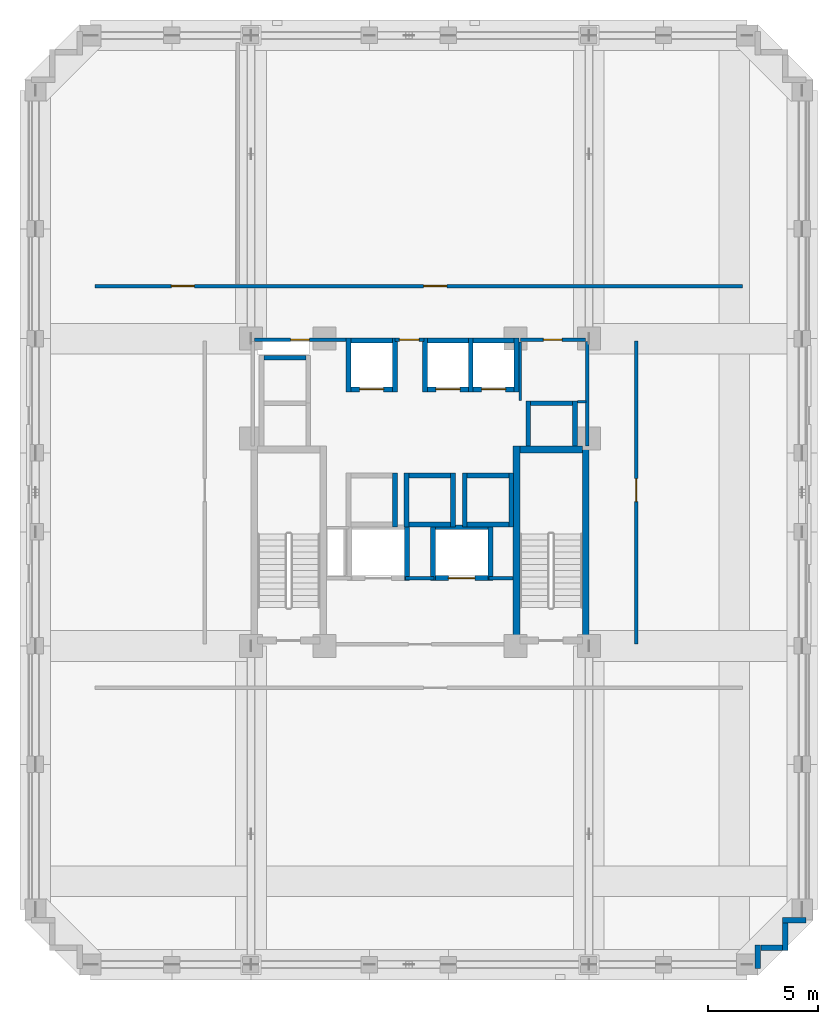
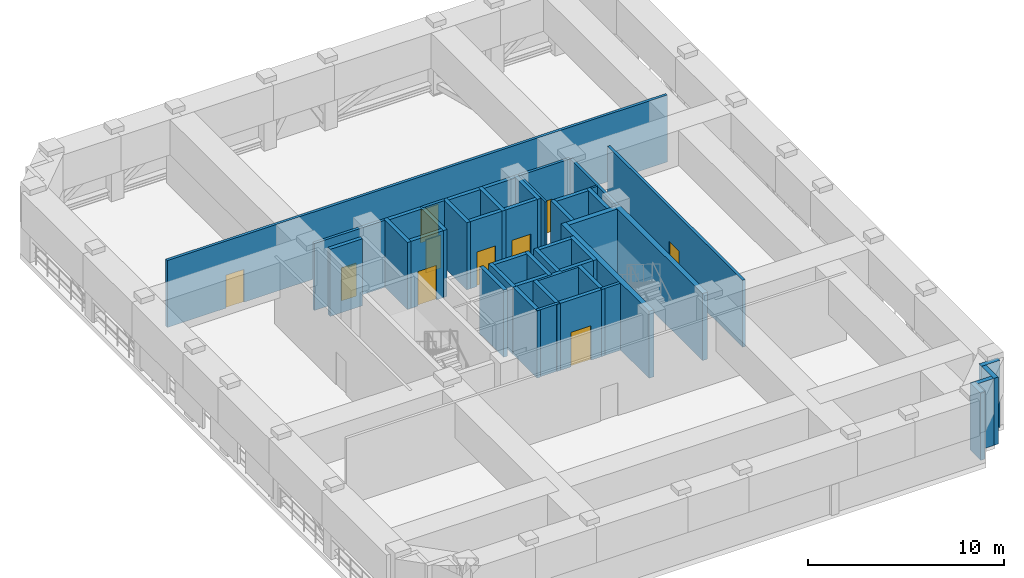
# One storey, part 4 of 11: 46 walls, 10 doors, 10 openings.
"""IFC4 building model written with IfcOpenShell, lengths in metres."""

from ifc_helpers import new_model, si_unit, derived_unit, direction, frame, frame_2d, origin, place, context, subcontext, project, spatial, rectangle, extrude, material, layer, layer_set, type_object, element, fill, save


model = new_model("IFC4")

# Units and contexts
model_context = context("Model", 3, precision=1e-05, world=origin(), true_north=direction((0.0, 1.0)))
body_context = subcontext(model_context, "Body", "Model", "MODEL_VIEW")
ifc_project = project(units=[si_unit("LENGTHUNIT", "METRE"), si_unit("AREAUNIT", "SQUARE_METRE"), si_unit("VOLUMEUNIT", "CUBIC_METRE"), si_unit("PLANEANGLEUNIT", "RADIAN"), si_unit("MASSUNIT", "GRAM", prefix="KILO"), derived_unit("THERMALTRANSMITTANCEUNIT", [(si_unit("MASSUNIT", "GRAM", prefix="KILO"), 1), (si_unit("TIMEUNIT", "SECOND"), -3), (si_unit("THERMODYNAMICTEMPERATUREUNIT", "KELVIN"), -1)])], contexts=[model_context])

# Site, building, storey
site_placement = place(None, origin())
site = spatial("IfcSite", under=ifc_project, at=site_placement, CompositionType="ELEMENT")
building_placement = place(site_placement, origin())
building = spatial("IfcBuilding", under=site, at=building_placement, Name="Korrvale Station Residences", CompositionType="ELEMENT")
storey_placement = place(building_placement, frame((0.0, 0.0, 119.89990234375)))
storey = spatial("IfcBuildingStorey", under=building, at=storey_placement, Name="L34", CompositionType="ELEMENT", Elevation=119.89990234375)

# Walls
ifc_material_1 = material(Name="Concrete C60/75", Category="concrete")
ifc_layer_1 = layer(ifc_material_1, 0.300048828125, Name="Concrete C60/75")
ifc_layer_set_1 = layer_set([ifc_layer_1], Name="Concrete C60/75")
wall_type_1 = type_object("IfcWallType", Name="WAL-CORE-300-C60", PredefinedType="SHEAR", material=ifc_layer_set_1)
for number, where, z_axis, x_axis, name in (
    (1, (29.89990234375, 15.10009765625, 0.0), (0.0, 0.0, 1.0), (0.0, 1.0, 0.0), "L34 ST-2 Core Shear Wall West"),
    (2, (33.050048828125, 15.10009765625, 0.0), (0.0, 0.0, 1.0), (0.0, 1.0, 0.0), "L34 ST-2 Core Shear Wall East"),
):
    element("IfcWall", number, at=place(storey_placement, frame(where, z_axis=z_axis, x_axis=x_axis)), inside=storey, type_object=wall_type_1, Name=name, PredefinedType="SHEAR", context=body_context, shape_type="SweptSolid", body=[
        extrude(rectangle(XDim=9.0, YDim=0.300048828125, at=frame_2d((4.5, 0.0))), origin(), (0.0, 0.0, 1.0), 4.18017578125),
    ])
wall_1_placement = place(storey_placement, frame((30.050048828125, 23.949951171875, 0.0), z_axis=(0.0, 0.0, 1.0), x_axis=(1.0, 0.0, 0.0)))
element("IfcWall", 3, at=wall_1_placement, inside=storey, type_object=wall_type_1, Name="L34 ST-2 Core Shear Wall North", PredefinedType="SHEAR", context=body_context, shape_type="SweptSolid", body=[
    extrude(rectangle(XDim=2.849853515625, YDim=0.300048828125, at=frame_2d((1.4248046875, 0.0))), origin(), (0.0, 0.0, 1.0), 4.18017578125),
])
ifc_material_2 = material(Name="Precast concrete C45/55", Category="concrete")
ifc_layer_2 = layer(ifc_material_2, 0.260009765625, Name="Precast concrete C45/55")
ifc_layer_set_2 = layer_set([ifc_layer_2], Name="Precast concrete C45/55")
wall_type_2 = type_object("IfcWallType", Name="WAL-EXT-LOG260", PredefinedType="SOLIDWALL", material=ifc_layer_set_2)
wall_2_placement = place(storey_placement, frame((43.097900390625, 2.5, 0.0), z_axis=(0.0, 0.0, 1.0), x_axis=(-1.0, 0.0, 0.0)))
element("IfcWall", 4, at=wall_2_placement, inside=storey, type_object=wall_type_2, Name="L34 Serrated Corner Precast Step SE-1", PredefinedType="SOLIDWALL", context=body_context, shape_type="SweptSolid", body=[
    extrude(rectangle(XDim=1.077880859375, YDim=0.260009765625, at=frame_2d((0.5390625, 0.0))), origin(), (0.0, 0.0, 1.0), 4.18017578125),
])
wall_3_placement = place(storey_placement, frame((42.14990234375, 2.367919921875, 0.0), z_axis=(0.0, 0.0, 1.0), x_axis=(0.0, -1.0, 0.0)))
element("IfcWall", 5, at=wall_3_placement, inside=storey, type_object=wall_type_2, Name="L34 Serrated Corner Precast Step SE-2", PredefinedType="SOLIDWALL", context=body_context, shape_type="SweptSolid", body=[
    extrude(rectangle(XDim=1.247802734375, YDim=0.260009765625, at=frame_2d((0.6240234375, 0.0))), origin(), (0.0, 0.0, 1.0), 4.18017578125),
])
wall_4_placement = place(storey_placement, frame((42.01806640625, 1.25, 0.0), z_axis=(0.0, 0.0, 1.0), x_axis=(-1.0, 0.0, 0.0)))
element("IfcWall", 6, at=wall_4_placement, inside=storey, type_object=wall_type_2, Name="L34 Serrated Corner Precast Step SE-3", PredefinedType="SOLIDWALL", context=body_context, shape_type="SweptSolid", body=[
    extrude(rectangle(XDim=0.986083984375, YDim=0.260009765625, at=frame_2d((0.4931640625, 0.0))), origin(), (0.0, 0.0, 1.0), 4.18017578125),
])
wall_5_placement = place(storey_placement, frame((40.89990234375, 1.3798828125, 0.0), z_axis=(0.0, 0.0, 1.0), x_axis=(0.0, -1.0, 0.0)))
element("IfcWall", 7, at=wall_5_placement, inside=storey, type_object=wall_type_2, Name="L34 Serrated Corner Precast Step SE-4", PredefinedType="SOLIDWALL", context=body_context, shape_type="SweptSolid", body=[
    extrude(rectangle(XDim=1.077880859375, YDim=0.260009765625, at=frame_2d((0.5390625, 0.0))), origin(), (0.0, 0.0, 1.0), 4.18017578125),
])
ifc_material_3 = material(Name="Acoustic steel-stud gypsum board partition", Category="steel")
ifc_layer_3 = layer(ifc_material_3, 0.1201171875, Name="Acoustic steel-stud gypsum board partition")
ifc_layer_set_3 = layer_set([ifc_layer_3], Name="Acoustic steel-stud gypsum board partition")
wall_type_3 = type_object("IfcWallType", Name="WAL-PART-125", PredefinedType="PARTITIONING", material=ifc_layer_set_3)
wall_6_placement = place(storey_placement, frame((30.080078125, 26.179931640625, 0.0), z_axis=(0.0, 0.0, 1.0), x_axis=(0.0, 1.0, 0.0)))
element("IfcWall", 8, at=wall_6_placement, inside=storey, type_object=wall_type_3, Name="L34 Core Partition CW-CS-W", PredefinedType="PARTITIONING", context=body_context, shape_type="SweptSolid", body=[
    extrude(rectangle(XDim=2.68017578125, YDim=0.1201171875, at=frame_2d((1.340087890625, 0.0))), origin(), (0.0, 0.0, 1.0), 4.18017578125),
])
wall_7_placement = place(storey_placement, frame((32.679931640625, 26.1201171875, 0.0), z_axis=(0.0, 0.0, 1.0), x_axis=(1.0, 0.0, 0.0)))
element("IfcWall", 9, at=wall_7_placement, inside=storey, type_object=wall_type_3, Name="L34 Core Partition CW-CS-S", PredefinedType="PARTITIONING", context=body_context, shape_type="SweptSolid", body=[
    extrude(rectangle(XDim=0.380126953125, YDim=0.1201171875, at=frame_2d((0.18994140625, 0.0))), origin(), (0.0, 0.0, 1.0), 4.18017578125),
])
ifc_material_4 = material(Name="Fire-rated twin-stud gypsum and mineral wool shaftwall assembly", Category="gypsum")
ifc_layer_4 = layer(ifc_material_4, 0.159912109375, Name="Fire-rated twin-stud gypsum and mineral wool shaftwall assembly")
ifc_layer_set_4 = layer_set([ifc_layer_4], Name="Fire-rated twin-stud gypsum and mineral wool shaftwall assembly")
wall_type_4 = type_object("IfcWallType", Name="WAL-PART-200", PredefinedType="PARTITIONING", material=ifc_layer_set_4)
wall_8_placement = place(storey_placement, frame((24.85009765625, 18.080078125, 0.0), z_axis=(0.0, 0.0, 1.0), x_axis=(1.0, 0.0, 0.0)))
element("IfcWall", 10, at=wall_8_placement, inside=storey, type_object=wall_type_4, Name="L34 Core Partition CW-FFL-N2", PredefinedType="PARTITIONING", context=body_context, shape_type="SweptSolid", body=[
    extrude(rectangle(XDim=1.2998046875, YDim=0.159912109375, at=frame_2d((0.64990234375, 0.0))), origin(), (0.0, 0.0, 1.0), 4.18017578125),
])
wall_9_placement = place(storey_placement, frame((28.64990234375, 18.080078125, 0.0), z_axis=(0.0, 0.0, 1.0), x_axis=(1.0, 0.0, 0.0)))
element("IfcWall", 11, at=wall_9_placement, inside=storey, type_object=wall_type_4, Name="L34 Core Partition CW-FFL-N3", PredefinedType="PARTITIONING", context=body_context, shape_type="SweptSolid", body=[
    extrude(rectangle(XDim=1.10009765625, YDim=0.159912109375, at=frame_2d((0.550048828125, 0.0))), origin(), (0.0, 0.0, 1.0), 4.18017578125),
])
wall_10_placement = place(storey_placement, frame((33.1201171875, 24.1201171875, 0.0), z_axis=(0.0, 0.0, 1.0), x_axis=(0.0, 1.0, 0.0)))
element("IfcWall", 12, at=wall_10_placement, inside=storey, type_object=wall_type_4, Name="L34 Core Partition CW-E-N", PredefinedType="PARTITIONING", context=body_context, shape_type="SweptSolid", body=[
    extrude(rectangle(XDim=4.759765625, YDim=0.159912109375, at=frame_2d((2.3798828125, 0.0))), origin(), (0.0, 0.0, 1.0), 4.18017578125),
])

# Wall, opening, door
wall_11_placement = place(storey_placement, frame((24.360107421875, 28.949951171875, 0.0), z_axis=(0.0, 0.0, 1.0), x_axis=(1.0, 0.0, 0.0)))
wall_11 = element("IfcWall", 13, at=wall_11_placement, inside=storey, type_object=wall_type_4, Name="L34 Core Partition CW-LLOB-N", PredefinedType="PARTITIONING", context=body_context, shape_type="SweptSolid", body=[
    extrude(rectangle(XDim=1.31982421875, YDim=0.159912109375, at=frame_2d((0.659912109375, 0.0))), origin(), (0.0, 0.0, 1.0), 4.18017578125),
])
opening_1_placement = place(wall_11_placement, frame((0.2099609375, 0.0, 0.0)))
opening_1 = element("IfcOpeningElement", 14, at=opening_1_placement, cuts=wall_11, Name="Opening DI-900", PredefinedType="OPENING", context=body_context, shape_type="SweptSolid", body=[
    extrude(rectangle(XDim=0.89990234375, YDim=2.050048828125, at=frame_2d((0.449951171875, 1.02490234375))), frame((0.0, 0.08984375, 0.0), z_axis=(0.0, -1.0, 0.0), x_axis=(1.0, 0.0, 0.0)), (0.0, 0.0, 1.0), 0.179931640625),
])
ifc_material_5 = material(Name="Painted solid-core timber interior room door", Category="wood")
door_type_1 = type_object("IfcDoorType", Name="DR-INT-900", OperationType="NOTDEFINED", PredefinedType="DOOR", material=ifc_material_5)
door_1_placement = place(opening_1_placement, origin())
door_1 = element("IfcDoor", 15, at=door_1_placement, inside=storey, type_object=door_type_1, Name="L34 Central Hallway North Passage Door", OperationType="SINGLE_SWING_LEFT", OverallHeight=2.050048828125, OverallWidth=0.89990234375, PredefinedType="DOOR", context=body_context, shape_type="SweptSolid", body=[
    extrude(rectangle(XDim=0.89990234375, YDim=2.050048828125, at=frame_2d((0.449951171875, 1.02490234375))), frame((0.0, 0.02490234375, 0.0), z_axis=(0.0, -1.0, 0.0), x_axis=(1.0, 0.0, 0.0)), (0.0, 0.0, 1.0), 0.050048828125),
])
fill(opening_1, door_1)

wall_12_placement = place(storey_placement, frame((17.9599609375, 28.949951171875, 0.0), z_axis=(0.0, 0.0, 1.0), x_axis=(1.0, 0.0, 0.0)))
wall_12 = element("IfcWall", 16, at=wall_12_placement, inside=storey, type_object=wall_type_4, Name="L34 Core Partition CW-NW", PredefinedType="PARTITIONING", context=body_context, shape_type="SweptSolid", body=[
    extrude(rectangle(XDim=4.2900390625, YDim=0.159912109375, at=frame_2d((2.14501953125, 0.0))), origin(), (0.0, 0.0, 1.0), 4.18017578125),
])
opening_2_placement = place(wall_12_placement, frame((1.64501953125, 0.0, 0.0)))
opening_2 = element("IfcOpeningElement", 17, at=opening_2_placement, cuts=wall_12, Name="Opening DB-860", PredefinedType="OPENING", context=body_context, shape_type="SweptSolid", body=[
    extrude(rectangle(XDim=0.860107421875, YDim=2.050048828125, at=frame_2d((0.43017578125, 1.02490234375))), frame((0.0, 0.08984375, 0.0), z_axis=(0.0, -1.0, 0.0), x_axis=(1.0, 0.0, 0.0)), (0.0, 0.0, 1.0), 0.179931640625),
])
ifc_material_6 = material(Name="Moisture-resistant solid-core bathroom door", Category="timber")
door_type_2 = type_object("IfcDoorType", Name="DR-BATH-860", OperationType="NOTDEFINED", PredefinedType="DOOR", material=ifc_material_6)
door_2_placement = place(opening_2_placement, origin())
door_2 = element("IfcDoor", 18, at=door_2_placement, inside=storey, type_object=door_type_2, Name="L34 Electrical Riser Access Door", OperationType="SINGLE_SWING_RIGHT", OverallHeight=2.050048828125, OverallWidth=0.860107421875, PredefinedType="DOOR", context=body_context, shape_type="SweptSolid", body=[
    extrude(rectangle(XDim=0.860107421875, YDim=2.050048828125, at=frame_2d((0.43017578125, 1.02490234375))), frame((0.0, 0.02490234375, 0.0), z_axis=(0.0, -1.0, 0.0), x_axis=(1.0, 0.0, 0.0)), (0.0, 0.0, 1.0), 0.050048828125),
])
fill(opening_2, door_2)

wall_13_placement = place(storey_placement, frame((30.080078125, 28.949951171875, 0.0), z_axis=(0.0, 0.0, 1.0), x_axis=(1.0, 0.0, 0.0)))
wall_13 = element("IfcWall", 19, at=wall_13_placement, inside=storey, type_object=wall_type_4, Name="L34 Core Partition CW-CS-N", PredefinedType="PARTITIONING", context=body_context, shape_type="SweptSolid", body=[
    extrude(rectangle(XDim=2.9599609375, YDim=0.159912109375, at=frame_2d((1.47998046875, 0.0))), origin(), (0.0, 0.0, 1.0), 4.18017578125),
])
opening_3_placement = place(wall_13_placement, frame((1.044921875, 0.0, 0.0)))
opening_3 = element("IfcOpeningElement", 20, at=opening_3_placement, cuts=wall_13, Name="Opening DB-860", PredefinedType="OPENING", context=body_context, shape_type="SweptSolid", body=[
    extrude(rectangle(XDim=0.860107421875, YDim=2.050048828125, at=frame_2d((0.43017578125, 1.02490234375))), frame((0.0, 0.08984375, 0.0), z_axis=(0.0, -1.0, 0.0), x_axis=(1.0, 0.0, 0.0)), (0.0, 0.0, 1.0), 0.179931640625),
])
door_3_placement = place(opening_3_placement, origin())
door_3 = element("IfcDoor", 21, at=door_3_placement, inside=storey, type_object=door_type_2, Name="L34 Core Equipment Room Door", OperationType="SINGLE_SWING_LEFT", OverallHeight=2.050048828125, OverallWidth=0.860107421875, PredefinedType="DOOR", context=body_context, shape_type="SweptSolid", body=[
    extrude(rectangle(XDim=0.860107421875, YDim=2.050048828125, at=frame_2d((0.43017578125, 1.02490234375))), frame((0.0, 0.02490234375, 0.0), z_axis=(0.0, -1.0, 0.0), x_axis=(1.0, 0.0, 0.0)), (0.0, 0.0, 1.0), 0.050048828125),
])
fill(opening_3, door_3)

# Wall, openings, doors
wall_14_placement = place(storey_placement, frame((10.699951171875, 31.39990234375, 0.0), z_axis=(0.0, 0.0, 1.0), x_axis=(1.0, 0.0, 0.0)))
wall_14 = element("IfcWall", 22, at=wall_14_placement, inside=storey, type_object=wall_type_4, Name="L34 Interior Partition W-RN", PredefinedType="PARTITIONING", context=body_context, shape_type="SweptSolid", body=[
    extrude(rectangle(XDim=29.5, YDim=0.159912109375, at=frame_2d((14.75, 0.0))), origin(), (0.0, 0.0, 1.0), 4.18017578125),
])
opening_4_placement = place(wall_14_placement, frame((3.47509765625, 0.0, 0.0)))
opening_4 = element("IfcOpeningElement", 23, at=opening_4_placement, cuts=wall_14, Name="Opening FD-1050", PredefinedType="OPENING", context=body_context, shape_type="SweptSolid", body=[
    extrude(rectangle(XDim=1.050048828125, YDim=2.050048828125, at=frame_2d((0.52490234375, 1.02490234375))), frame((0.0, 0.08984375, 0.0), z_axis=(0.0, -1.0, 0.0), x_axis=(1.0, 0.0, 0.0)), (0.0, 0.0, 1.0), 0.179931640625),
])
opening_5_placement = place(wall_14_placement, frame((14.97509765625, 0.0, 0.0)))
opening_5 = element("IfcOpeningElement", 24, at=opening_5_placement, cuts=wall_14, Name="Opening FD-1050", PredefinedType="OPENING", context=body_context, shape_type="SweptSolid", body=[
    extrude(rectangle(XDim=1.050048828125, YDim=2.050048828125, at=frame_2d((0.52490234375, 1.02490234375))), frame((0.0, 0.08984375, 0.0), z_axis=(0.0, -1.0, 0.0), x_axis=(1.0, 0.0, 0.0)), (0.0, 0.0, 1.0), 0.179931640625),
])
ifc_material_7 = material(Name="Fire-rated mineral-core timber lobby door", Category="wood")
door_type_3 = type_object("IfcDoorType", Name="DR-CORE-1050", OperationType="NOTDEFINED", PredefinedType="DOOR", material=ifc_material_7)
door_4_placement = place(opening_4_placement, origin())
door_4 = element("IfcDoor", 25, at=door_4_placement, inside=storey, type_object=door_type_3, Name="L34 Zone Substation Door", OperationType="SINGLE_SWING_LEFT", OverallHeight=2.050048828125, OverallWidth=1.050048828125, PredefinedType="DOOR", context=body_context, shape_type="SweptSolid", body=[
    extrude(rectangle(XDim=1.050048828125, YDim=2.050048828125, at=frame_2d((0.52490234375, 1.02490234375))), frame((0.0, 0.02490234375, 0.0), z_axis=(0.0, -1.0, 0.0), x_axis=(1.0, 0.0, 0.0)), (0.0, 0.0, 1.0), 0.050048828125),
])
fill(opening_4, door_4)
door_5_placement = place(opening_5_placement, origin())
door_5 = element("IfcDoor", 26, at=door_5_placement, inside=storey, type_object=door_type_3, Name="L34 Zone AHU Plant Door", OperationType="SINGLE_SWING_RIGHT", OverallHeight=2.050048828125, OverallWidth=1.050048828125, PredefinedType="DOOR", context=body_context, shape_type="SweptSolid", body=[
    extrude(rectangle(XDim=1.050048828125, YDim=2.050048828125, at=frame_2d((0.52490234375, 1.02490234375))), frame((0.0, 0.02490234375, 0.0), z_axis=(0.0, -1.0, 0.0), x_axis=(1.0, 0.0, 0.0)), (0.0, 0.0, 1.0), 0.050048828125),
])
fill(opening_5, door_5)

# Wall, opening, door
wall_15_placement = place(storey_placement, frame((35.35009765625, 15.10009765625, 0.0), z_axis=(0.0, 0.0, 1.0), x_axis=(0.0, 1.0, 0.0)))
wall_15 = element("IfcWall", 27, at=wall_15_placement, inside=storey, type_object=wall_type_4, Name="L34 Interior Partition W-RE", PredefinedType="PARTITIONING", context=body_context, shape_type="SweptSolid", body=[
    extrude(rectangle(XDim=13.7998046875, YDim=0.159912109375, at=frame_2d((6.89990234375, 0.0))), origin(), (0.0, 0.0, 1.0), 4.18017578125),
])
opening_6_placement = place(wall_15_placement, frame((6.47509765625, 0.0, 0.0)))
opening_6 = element("IfcOpeningElement", 28, at=opening_6_placement, cuts=wall_15, Name="Opening FD-1050", PredefinedType="OPENING", context=body_context, shape_type="SweptSolid", body=[
    extrude(rectangle(XDim=1.050048828125, YDim=2.050048828125, at=frame_2d((0.52490234375, 1.02490234375))), frame((0.0, 0.08984375, 0.0), z_axis=(0.0, -1.0, 0.0), x_axis=(1.0, 0.0, 0.0)), (0.0, 0.0, 1.0), 0.179931640625),
])
door_6_placement = place(opening_6_placement, origin())
door_6 = element("IfcDoor", 29, at=door_6_placement, inside=storey, type_object=door_type_3, Name="L34 East Refuge Area Fire Door", OperationType="SINGLE_SWING_RIGHT", OverallHeight=2.050048828125, OverallWidth=1.050048828125, PredefinedType="DOOR", context=body_context, shape_type="SweptSolid", body=[
    extrude(rectangle(XDim=1.050048828125, YDim=2.050048828125, at=frame_2d((0.52490234375, 1.02490234375))), frame((0.0, 0.02490234375, 0.0), z_axis=(0.0, -1.0, 0.0), x_axis=(1.0, 0.0, 0.0)), (0.0, 0.0, 1.0), 0.050048828125),
])
fill(opening_6, door_6)

ifc_layer_5 = layer(ifc_material_1, 0.219970703125, Name="Concrete C60/75")
ifc_layer_set_5 = layer_set([ifc_layer_5], Name="Concrete C60/75")
wall_type_5 = type_object("IfcWallType", Name="WAL-SHAFT-220-C60", PredefinedType="SHEAR", material=ifc_layer_set_5)
wall_16_placement = place(storey_placement, frame((22.35009765625, 26.68994140625, 0.0), z_axis=(0.0, 0.0, 1.0), x_axis=(1.0, 0.0, 0.0)))
wall_16 = element("IfcWall", 30, at=wall_16_placement, inside=storey, type_object=wall_type_5, Name="L34 Elevator PL-1 Hoistway Wall South", PredefinedType="SHEAR", context=body_context, shape_type="SweptSolid", body=[
    extrude(rectangle(XDim=1.89990234375, YDim=0.219970703125, at=frame_2d((0.949951171875, 0.0))), origin(), (0.0, 0.0, 1.0), 4.18017578125),
])
opening_7_placement = place(wall_16_placement, frame((0.39990234375, 0.0, 0.0)))
opening_7 = element("IfcOpeningElement", 31, at=opening_7_placement, cuts=wall_16, Name="Opening LD-1100", PredefinedType="OPENING", context=body_context, shape_type="SweptSolid", body=[
    extrude(rectangle(XDim=1.10009765625, YDim=2.14990234375, at=frame_2d((0.550048828125, 1.074951171875))), frame((0.0, 0.1201171875, 0.0), z_axis=(0.0, -1.0, 0.0), x_axis=(1.0, 0.0, 0.0)), (0.0, 0.0, 1.0), 0.239990234375),
])
ifc_material_8 = material(Name="Brushed stainless-steel elevator landing sliding door", Category="steel")
door_type_4 = type_object("IfcDoorType", Name="DR-LIFT-1100", OperationType="SLIDING_TO_LEFT", PredefinedType="DOOR", material=ifc_material_8)
door_7_placement = place(opening_7_placement, origin())
door_7 = element("IfcDoor", 32, at=door_7_placement, inside=storey, type_object=door_type_4, Name="L34 Elevator PL-1 Sliding Landing Door", OperationType="SLIDING_TO_LEFT", OverallHeight=2.14990234375, OverallWidth=1.10009765625, PredefinedType="DOOR", context=body_context, shape_type="SweptSolid", body=[
    extrude(rectangle(XDim=1.10009765625, YDim=2.14990234375, at=frame_2d((0.550048828125, 1.074951171875))), frame((0.0, 0.02490234375, 0.0), z_axis=(0.0, -1.0, 0.0), x_axis=(1.0, 0.0, 0.0)), (0.0, 0.0, 1.0), 0.050048828125),
])
fill(opening_7, door_7)

# Walls
wall_17_placement = place(storey_placement, frame((22.35009765625, 28.909912109375, 0.0), z_axis=(0.0, 0.0, 1.0), x_axis=(1.0, 0.0, 0.0)))
element("IfcWall", 33, at=wall_17_placement, inside=storey, type_object=wall_type_5, Name="L34 Elevator PL-1 Hoistway Wall North", PredefinedType="SHEAR", context=body_context, shape_type="SweptSolid", body=[
    extrude(rectangle(XDim=1.89990234375, YDim=0.219970703125, at=frame_2d((0.949951171875, 0.0))), origin(), (0.0, 0.0, 1.0), 4.18017578125),
])
for number, where, z_axis, x_axis, name in (
    (34, (22.239990234375, 26.580078125, 0.0), (0.0, 0.0, 1.0), (0.0, 1.0, 0.0), "L34 Elevator PL-1 Hoistway Wall West"),
    (35, (24.360107421875, 26.580078125, 0.0), (0.0, 0.0, 1.0), (0.0, 1.0, 0.0), "L34 Elevator PL-1 Hoistway Wall East"),
):
    element("IfcWall", number, at=place(storey_placement, frame(where, z_axis=z_axis, x_axis=x_axis)), inside=storey, type_object=wall_type_5, Name=name, PredefinedType="SHEAR", context=body_context, shape_type="SweptSolid", body=[
        extrude(rectangle(XDim=2.43994140625, YDim=0.219970703125, at=frame_2d((1.219970703125, 0.0))), origin(), (0.0, 0.0, 1.0), 4.18017578125),
    ])

# Wall, opening, door
wall_18_placement = place(storey_placement, frame((25.85009765625, 26.68994140625, 0.0), z_axis=(0.0, 0.0, 1.0), x_axis=(1.0, 0.0, 0.0)))
wall_18 = element("IfcWall", 36, at=wall_18_placement, inside=storey, type_object=wall_type_5, Name="L34 Elevator PL-2 Hoistway Wall South", PredefinedType="SHEAR", context=body_context, shape_type="SweptSolid", body=[
    extrude(rectangle(XDim=1.85986328125, YDim=0.219970703125, at=frame_2d((0.929931640625, 0.0))), origin(), (0.0, 0.0, 1.0), 4.18017578125),
])
opening_8_placement = place(wall_18_placement, frame((0.3798828125, 0.0, 0.0)))
opening_8 = element("IfcOpeningElement", 37, at=opening_8_placement, cuts=wall_18, Name="Opening LD-1100", PredefinedType="OPENING", context=body_context, shape_type="SweptSolid", body=[
    extrude(rectangle(XDim=1.10009765625, YDim=2.14990234375, at=frame_2d((0.550048828125, 1.074951171875))), frame((0.0, 0.1201171875, 0.0), z_axis=(0.0, -1.0, 0.0), x_axis=(1.0, 0.0, 0.0)), (0.0, 0.0, 1.0), 0.239990234375),
])
door_8_placement = place(opening_8_placement, origin())
door_8 = element("IfcDoor", 38, at=door_8_placement, inside=storey, type_object=door_type_4, Name="L34 Elevator PL-2 Sliding Landing Door", OperationType="SLIDING_TO_LEFT", OverallHeight=2.14990234375, OverallWidth=1.10009765625, PredefinedType="DOOR", context=body_context, shape_type="SweptSolid", body=[
    extrude(rectangle(XDim=1.10009765625, YDim=2.14990234375, at=frame_2d((0.550048828125, 1.074951171875))), frame((0.0, 0.02490234375, 0.0), z_axis=(0.0, -1.0, 0.0), x_axis=(1.0, 0.0, 0.0)), (0.0, 0.0, 1.0), 0.050048828125),
])
fill(opening_8, door_8)

# Walls
wall_19_placement = place(storey_placement, frame((25.85009765625, 28.909912109375, 0.0), z_axis=(0.0, 0.0, 1.0), x_axis=(1.0, 0.0, 0.0)))
element("IfcWall", 39, at=wall_19_placement, inside=storey, type_object=wall_type_5, Name="L34 Elevator PL-2 Hoistway Wall North", PredefinedType="SHEAR", context=body_context, shape_type="SweptSolid", body=[
    extrude(rectangle(XDim=1.85986328125, YDim=0.219970703125, at=frame_2d((0.929931640625, 0.0))), origin(), (0.0, 0.0, 1.0), 4.18017578125),
])
for number, where, z_axis, x_axis, name in (
    (40, (25.739990234375, 26.580078125, 0.0), (0.0, 0.0, 1.0), (0.0, 1.0, 0.0), "L34 Elevator PL-2 Hoistway Wall West"),
    (41, (27.820068359375, 26.580078125, 0.0), (0.0, 0.0, 1.0), (0.0, 1.0, 0.0), "L34 Elevator PL-2 Hoistway Wall East"),
):
    element("IfcWall", number, at=place(storey_placement, frame(where, z_axis=z_axis, x_axis=x_axis)), inside=storey, type_object=wall_type_5, Name=name, PredefinedType="SHEAR", context=body_context, shape_type="SweptSolid", body=[
        extrude(rectangle(XDim=2.43994140625, YDim=0.219970703125, at=frame_2d((1.219970703125, 0.0))), origin(), (0.0, 0.0, 1.0), 4.18017578125),
    ])

# Wall, opening, door
wall_20_placement = place(storey_placement, frame((27.929931640625, 26.68994140625, 0.0), z_axis=(0.0, 0.0, 1.0), x_axis=(1.0, 0.0, 0.0)))
wall_20 = element("IfcWall", 42, at=wall_20_placement, inside=storey, type_object=wall_type_5, Name="L34 Elevator PL-3 Hoistway Wall South", PredefinedType="SHEAR", context=body_context, shape_type="SweptSolid", body=[
    extrude(rectangle(XDim=1.860107421875, YDim=0.219970703125, at=frame_2d((0.93017578125, 0.0))), origin(), (0.0, 0.0, 1.0), 4.18017578125),
])
opening_9_placement = place(wall_20_placement, frame((0.3798828125, 0.0, 0.0)))
opening_9 = element("IfcOpeningElement", 43, at=opening_9_placement, cuts=wall_20, Name="Opening LD-1100", PredefinedType="OPENING", context=body_context, shape_type="SweptSolid", body=[
    extrude(rectangle(XDim=1.10009765625, YDim=2.14990234375, at=frame_2d((0.550048828125, 1.074951171875))), frame((0.0, 0.1201171875, 0.0), z_axis=(0.0, -1.0, 0.0), x_axis=(1.0, 0.0, 0.0)), (0.0, 0.0, 1.0), 0.239990234375),
])
door_9_placement = place(opening_9_placement, origin())
door_9 = element("IfcDoor", 44, at=door_9_placement, inside=storey, type_object=door_type_4, Name="L34 Elevator PL-3 Sliding Landing Door", OperationType="SLIDING_TO_LEFT", OverallHeight=2.14990234375, OverallWidth=1.10009765625, PredefinedType="DOOR", context=body_context, shape_type="SweptSolid", body=[
    extrude(rectangle(XDim=1.10009765625, YDim=2.14990234375, at=frame_2d((0.550048828125, 1.074951171875))), frame((0.0, 0.02490234375, 0.0), z_axis=(0.0, -1.0, 0.0), x_axis=(1.0, 0.0, 0.0)), (0.0, 0.0, 1.0), 0.050048828125),
])
fill(opening_9, door_9)

# Walls
wall_21_placement = place(storey_placement, frame((27.929931640625, 28.909912109375, 0.0), z_axis=(0.0, 0.0, 1.0), x_axis=(1.0, 0.0, 0.0)))
element("IfcWall", 45, at=wall_21_placement, inside=storey, type_object=wall_type_5, Name="L34 Elevator PL-3 Hoistway Wall North", PredefinedType="SHEAR", context=body_context, shape_type="SweptSolid", body=[
    extrude(rectangle(XDim=1.860107421875, YDim=0.219970703125, at=frame_2d((0.93017578125, 0.0))), origin(), (0.0, 0.0, 1.0), 4.18017578125),
])
wall_22_placement = place(storey_placement, frame((29.89990234375, 26.580078125, 0.0), z_axis=(0.0, 0.0, 1.0), x_axis=(0.0, 1.0, 0.0)))
element("IfcWall", 46, at=wall_22_placement, inside=storey, type_object=wall_type_5, Name="L34 Elevator PL-3 Hoistway Wall East", PredefinedType="SHEAR", context=body_context, shape_type="SweptSolid", body=[
    extrude(rectangle(XDim=2.43994140625, YDim=0.219970703125, at=frame_2d((1.219970703125, 0.0))), origin(), (0.0, 0.0, 1.0), 4.18017578125),
])
wall_23_placement = place(storey_placement, frame((24.360107421875, 20.429931640625, 0.0), z_axis=(0.0, 0.0, 1.0), x_axis=(0.0, 1.0, 0.0)))
element("IfcWall", 47, at=wall_23_placement, inside=storey, type_object=wall_type_5, Name="L34 Elevator PM-1 Hoistway Wall East", PredefinedType="SHEAR", context=body_context, shape_type="SweptSolid", body=[
    extrude(rectangle(XDim=2.440185546875, YDim=0.219970703125, at=frame_2d((1.22021484375, 0.0))), origin(), (0.0, 0.0, 1.0), 4.18017578125),
])
for number, where, z_axis, x_axis, name in (
    (48, (25.0, 20.5400390625, 0.0), (0.0, 0.0, 1.0), (1.0, 0.0, 0.0), "L34 Elevator PM-2 Hoistway Wall South"),
    (49, (25.0, 22.760009765625, 0.0), (0.0, 0.0, 1.0), (1.0, 0.0, 0.0), "L34 Elevator PM-2 Hoistway Wall North"),
):
    element("IfcWall", number, at=place(storey_placement, frame(where, z_axis=z_axis, x_axis=x_axis)), inside=storey, type_object=wall_type_5, Name=name, PredefinedType="SHEAR", context=body_context, shape_type="SweptSolid", body=[
        extrude(rectangle(XDim=1.89990234375, YDim=0.219970703125, at=frame_2d((0.949951171875, 0.0))), origin(), (0.0, 0.0, 1.0), 4.18017578125),
    ])
for number, where, z_axis, x_axis, name in (
    (50, (24.889892578125, 20.429931640625, 0.0), (0.0, 0.0, 1.0), (0.0, 1.0, 0.0), "L34 Elevator PM-2 Hoistway Wall West"),
    (51, (27.010009765625, 20.429931640625, 0.0), (0.0, 0.0, 1.0), (0.0, 1.0, 0.0), "L34 Elevator PM-2 Hoistway Wall East"),
):
    element("IfcWall", number, at=place(storey_placement, frame(where, z_axis=z_axis, x_axis=x_axis)), inside=storey, type_object=wall_type_5, Name=name, PredefinedType="SHEAR", context=body_context, shape_type="SweptSolid", body=[
        extrude(rectangle(XDim=2.440185546875, YDim=0.219970703125, at=frame_2d((1.22021484375, 0.0))), origin(), (0.0, 0.0, 1.0), 4.18017578125),
    ])
for number, where, z_axis, x_axis, name in (
    (52, (27.64990234375, 20.5400390625, 0.0), (0.0, 0.0, 1.0), (1.0, 0.0, 0.0), "L34 Elevator PM-3 Hoistway Wall South"),
    (53, (27.64990234375, 22.760009765625, 0.0), (0.0, 0.0, 1.0), (1.0, 0.0, 0.0), "L34 Elevator PM-3 Hoistway Wall North"),
):
    element("IfcWall", number, at=place(storey_placement, frame(where, z_axis=z_axis, x_axis=x_axis)), inside=storey, type_object=wall_type_5, Name=name, PredefinedType="SHEAR", context=body_context, shape_type="SweptSolid", body=[
        extrude(rectangle(XDim=1.900146484375, YDim=0.219970703125, at=frame_2d((0.9501953125, 0.0))), origin(), (0.0, 0.0, 1.0), 4.18017578125),
    ])
for number, where, z_axis, x_axis, name in (
    (54, (27.5400390625, 20.429931640625, 0.0), (0.0, 0.0, 1.0), (0.0, 1.0, 0.0), "L34 Elevator PM-3 Hoistway Wall West"),
    (55, (29.659912109375, 20.429931640625, 0.0), (0.0, 0.0, 1.0), (0.0, 1.0, 0.0), "L34 Elevator PM-3 Hoistway Wall East"),
):
    element("IfcWall", number, at=place(storey_placement, frame(where, z_axis=z_axis, x_axis=x_axis)), inside=storey, type_object=wall_type_5, Name=name, PredefinedType="SHEAR", context=body_context, shape_type="SweptSolid", body=[
        extrude(rectangle(XDim=2.440185546875, YDim=0.219970703125, at=frame_2d((1.22021484375, 0.0))), origin(), (0.0, 0.0, 1.0), 4.18017578125),
    ])
wall_24_placement = place(storey_placement, frame((18.39990234375, 28.1298828125, 0.0), z_axis=(0.0, 0.0, 1.0), x_axis=(1.0, 0.0, 0.0)))
element("IfcWall", 56, at=wall_24_placement, inside=storey, type_object=wall_type_5, Name="L34 Elevator PH-2 Hoistway Wall North", PredefinedType="SHEAR", context=body_context, shape_type="SweptSolid", body=[
    extrude(rectangle(XDim=1.900146484375, YDim=0.219970703125, at=frame_2d((0.9501953125, 0.0))), origin(), (0.0, 0.0, 1.0), 4.18017578125),
])
wall_25_placement = place(storey_placement, frame((30.550048828125, 26.06005859375, 0.0), z_axis=(0.0, 0.0, 1.0), x_axis=(1.0, 0.0, 0.0)))
element("IfcWall", 57, at=wall_25_placement, inside=storey, type_object=wall_type_5, Name="L34 Elevator PH-3 Hoistway Wall North", PredefinedType="SHEAR", context=body_context, shape_type="SweptSolid", body=[
    extrude(rectangle(XDim=1.89990234375, YDim=0.219970703125, at=frame_2d((0.949951171875, 0.0))), origin(), (0.0, 0.0, 1.0), 4.18017578125),
])
for number, where, z_axis, x_axis, name in (
    (58, (30.43994140625, 24.10009765625, 0.0), (0.0, 0.0, 1.0), (0.0, 1.0, 0.0), "L34 Elevator PH-3 Hoistway Wall West"),
    (59, (32.56005859375, 24.10009765625, 0.0), (0.0, 0.0, 1.0), (0.0, 1.0, 0.0), "L34 Elevator PH-3 Hoistway Wall East"),
):
    element("IfcWall", number, at=place(storey_placement, frame(where, z_axis=z_axis, x_axis=x_axis)), inside=storey, type_object=wall_type_5, Name=name, PredefinedType="SHEAR", context=body_context, shape_type="SweptSolid", body=[
        extrude(rectangle(XDim=2.06982421875, YDim=0.219970703125, at=frame_2d((1.034912109375, 0.0))), origin(), (0.0, 0.0, 1.0), 4.18017578125),
    ])
wall_26_placement = place(storey_placement, frame((24.909912109375, 17.97998046875, 0.0), z_axis=(0.0, 0.0, 1.0), x_axis=(0.0, 1.0, 0.0)))
element("IfcWall", 60, at=wall_26_placement, inside=storey, type_object=wall_type_5, Name="L34 Elevator FFL-1 Hoistway Wall East", PredefinedType="SHEAR", context=body_context, shape_type="SweptSolid", body=[
    extrude(rectangle(XDim=2.5400390625, YDim=0.219970703125, at=frame_2d((1.27001953125, 0.0))), origin(), (0.0, 0.0, 1.0), 4.18017578125),
])

# Wall, opening, door
wall_27_placement = place(storey_placement, frame((26.199951171875, 18.090087890625, 0.0), z_axis=(0.0, 0.0, 1.0), x_axis=(1.0, 0.0, 0.0)))
wall_27 = element("IfcWall", 61, at=wall_27_placement, inside=storey, type_object=wall_type_5, Name="L34 Elevator FFL-2 Hoistway Wall South", PredefinedType="SHEAR", context=body_context, shape_type="SweptSolid", body=[
    extrude(rectangle(XDim=2.400146484375, YDim=0.219970703125, at=frame_2d((1.2001953125, 0.0))), origin(), (0.0, 0.0, 1.0), 4.18017578125),
])
opening_10_placement = place(wall_27_placement, frame((0.60009765625, 0.0, 0.0)))
opening_10 = element("IfcOpeningElement", 62, at=opening_10_placement, cuts=wall_27, Name="Opening LD-FF1200", PredefinedType="OPENING", context=body_context, shape_type="SweptSolid", body=[
    extrude(rectangle(XDim=1.199951171875, YDim=2.14990234375, at=frame_2d((0.60009765625, 1.074951171875))), frame((0.0, 0.1201171875, 0.0), z_axis=(0.0, -1.0, 0.0), x_axis=(1.0, 0.0, 0.0)), (0.0, 0.0, 1.0), 0.239990234375),
])
ifc_material_9 = material(Name="Stainless-steel firefighter elevator landing sliding door", Category="steel")
door_type_5 = type_object("IfcDoorType", Name="DR-LIFT-FF1200", OperationType="SLIDING_TO_LEFT", PredefinedType="DOOR", material=ifc_material_9)
door_10_placement = place(opening_10_placement, origin())
door_10 = element("IfcDoor", 63, at=door_10_placement, inside=storey, type_object=door_type_5, Name="L34 Elevator FFL-2 Sliding Landing Door", OperationType="SLIDING_TO_LEFT", OverallHeight=2.14990234375, OverallWidth=1.199951171875, PredefinedType="DOOR", context=body_context, shape_type="SweptSolid", body=[
    extrude(rectangle(XDim=1.199951171875, YDim=2.14990234375, at=frame_2d((0.60009765625, 1.074951171875))), frame((0.0, 0.02490234375, 0.0), z_axis=(0.0, -1.0, 0.0), x_axis=(1.0, 0.0, 0.0)), (0.0, 0.0, 1.0), 0.050048828125),
])
fill(opening_10, door_10)

# Walls
wall_28_placement = place(storey_placement, frame((26.199951171875, 20.409912109375, 0.0), z_axis=(0.0, 0.0, 1.0), x_axis=(1.0, 0.0, 0.0)))
element("IfcWall", 64, at=wall_28_placement, inside=storey, type_object=wall_type_5, Name="L34 Elevator FFL-2 Hoistway Wall North", PredefinedType="SHEAR", context=body_context, shape_type="SweptSolid", body=[
    extrude(rectangle(XDim=2.400146484375, YDim=0.219970703125, at=frame_2d((1.2001953125, 0.0))), origin(), (0.0, 0.0, 1.0), 4.18017578125),
])
for number, where, z_axis, x_axis, name in (
    (65, (26.090087890625, 17.97998046875, 0.0), (0.0, 0.0, 1.0), (0.0, 1.0, 0.0), "L34 Elevator FFL-2 Hoistway Wall West"),
    (66, (28.7099609375, 17.97998046875, 0.0), (0.0, 0.0, 1.0), (0.0, 1.0, 0.0), "L34 Elevator FFL-2 Hoistway Wall East"),
):
    element("IfcWall", number, at=place(storey_placement, frame(where, z_axis=z_axis, x_axis=x_axis)), inside=storey, type_object=wall_type_5, Name=name, PredefinedType="SHEAR", context=body_context, shape_type="SweptSolid", body=[
        extrude(rectangle(XDim=2.5400390625, YDim=0.219970703125, at=frame_2d((1.27001953125, 0.0))), origin(), (0.0, 0.0, 1.0), 4.18017578125),
    ])

save(model, "model.ifc")
